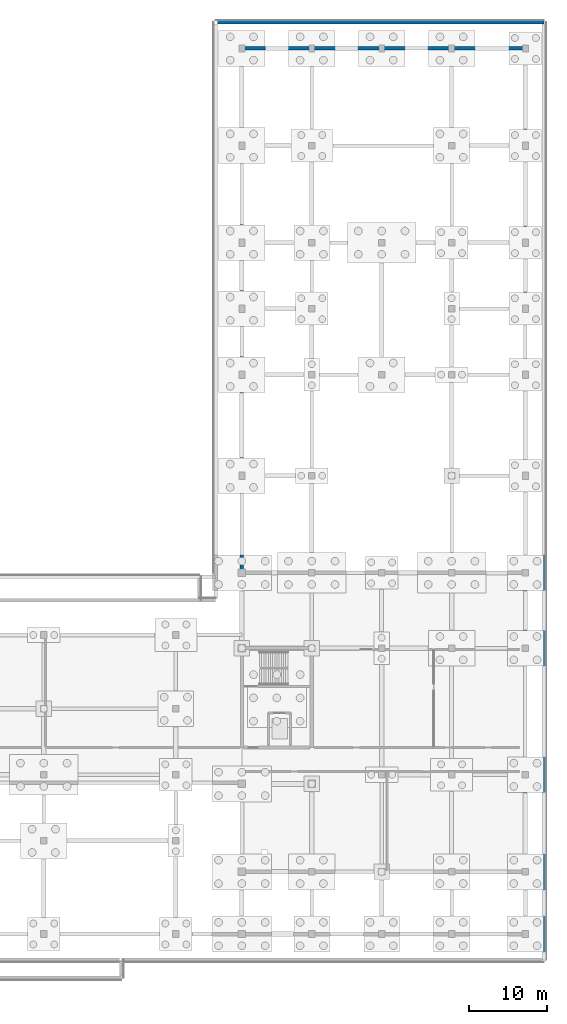
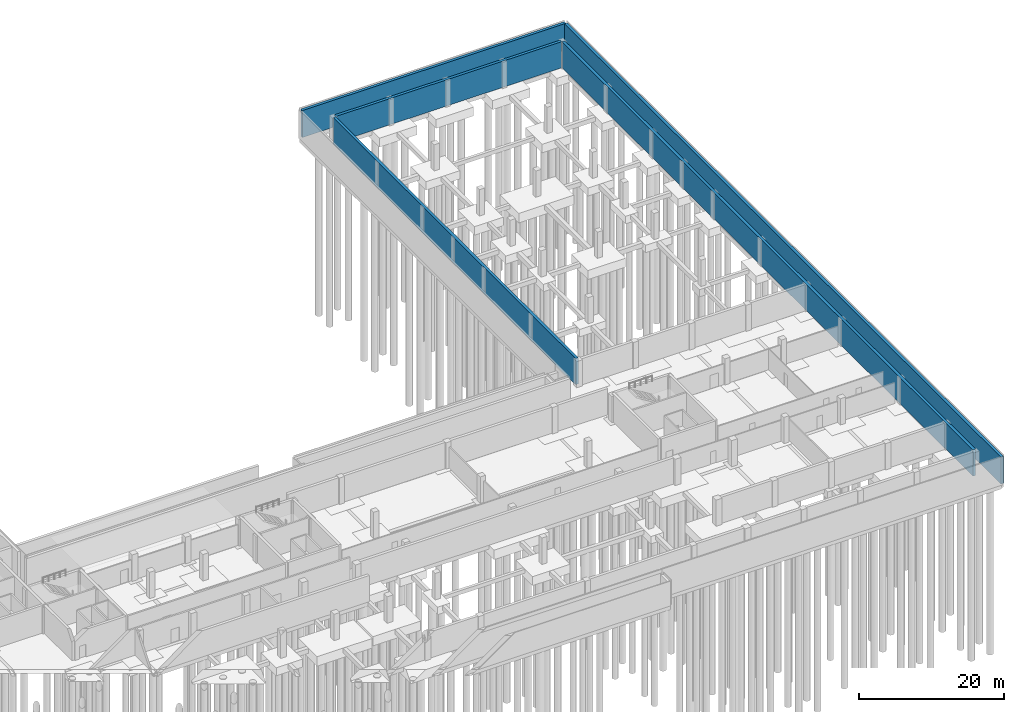
# One storey, part 16 of 25: 5 walls.
"""IFC4 building model written with IfcOpenShell, lengths in metres."""

from ifc_helpers import new_model, si_unit, direction, frame, frame_2d, origin, place, context, subcontext, project, spatial, rectangle, extrude, material, layer, layer_set, type_object, element, save


model = new_model("IFC4")

# Units and contexts
model_context = context("Model", 3, precision=1e-05, world=origin(), true_north=direction((0.0, 1.0)))
body_context = subcontext(model_context, "Body", "Model", "MODEL_VIEW")
ifc_project = project(units=[si_unit("LENGTHUNIT", "METRE"), si_unit("AREAUNIT", "SQUARE_METRE"), si_unit("VOLUMEUNIT", "CUBIC_METRE"), si_unit("PLANEANGLEUNIT", "RADIAN"), si_unit("MASSUNIT", "GRAM", prefix="KILO")], contexts=[model_context])

# Site, building, storey
site_placement = place(None, origin())
site = spatial("IfcSite", under=ifc_project, at=site_placement, CompositionType="ELEMENT")
building_placement = place(site_placement, origin())
building = spatial("IfcBuilding", under=site, at=building_placement, Name="Solvikara Media Centre", CompositionType="ELEMENT")
storey_placement = place(building_placement, frame((0.0, 0.0, -4.800048828125)))
storey = spatial("IfcBuildingStorey", under=building, at=storey_placement, Name="B01", CompositionType="ELEMENT", Elevation=-4.800048828125)

# Walls
ifc_material = material(Name="Concrete fc' 45 MPa (C45/55)", Category="concrete")
ifc_layer = layer(ifc_material, 0.449951171875)
ifc_layer_set = layer_set([ifc_layer], Name="Concrete fc' 45 MPa (C45/55)")
wall_type = type_object("IfcWallType", Name="WT-01", PredefinedType="SHEAR", material=ifc_layer_set)
wall_1_placement = place(storey_placement, frame((124.35009765625, 117.3798828125, 0.0), z_axis=(0.0, 0.0, 1.0), x_axis=(1.0, 0.0, 0.0)))
element("IfcWall", 1, at=wall_1_placement, inside=storey, type_object=wall_type, Name="W-B01-13", PredefinedType="SHEAR", context=body_context, shape_type="SweptSolid", body=[
    extrude(rectangle(XDim=42.02978515625, YDim=0.449951171875, at=frame_2d((21.014892578125, 0.0))), origin(), (0.0, 0.0, 1.0), 4.550048828125),
])
wall_2_placement = place(storey_placement, frame((166.3798828125, -3.330078125, 0.0), z_axis=(0.0, 0.0, 1.0), x_axis=(0.0, 1.0, 0.0)))
element("IfcWall", 2, at=wall_2_placement, inside=storey, type_object=wall_type, Name="W-B01-14", PredefinedType="SHEAR", context=body_context, shape_type="SweptSolid", body=[
    extrude(rectangle(XDim=120.47998046875, YDim=0.449951171875, at=frame_2d((60.239990234375, 0.0))), origin(), (0.0, 0.0, 1.0), 4.550048828125),
])
wall_3_placement = place(storey_placement, frame((164.0, 0.25, 0.0), z_axis=(0.0, 0.0, 1.0), x_axis=(0.0, 1.0, 0.0)))
element("IfcWall", 3, at=wall_3_placement, inside=storey, type_object=wall_type, Name="W-B01-22", PredefinedType="SHEAR", context=body_context, shape_type="SweptSolid", body=[
    extrude(rectangle(XDim=113.5, YDim=0.449951171875, at=frame_2d((56.75, 0.0))), origin(), (0.0, 0.0, 1.0), 4.420166015625),
])
wall_4_placement = place(storey_placement, frame((127.75, 114.0, 0.0), z_axis=(0.0, 0.0, 1.0), x_axis=(1.0, 0.0, 0.0)))
element("IfcWall", 4, at=wall_4_placement, inside=storey, type_object=wall_type, Name="W-B01-24", PredefinedType="SHEAR", context=body_context, shape_type="SweptSolid", body=[
    extrude(rectangle(XDim=36.0, YDim=0.449951171875, at=frame_2d((18.0, 0.0))), origin(), (0.0, 0.0, 1.0), 4.420166015625),
])
wall_5_placement = place(storey_placement, frame((127.5, 46.75, 0.0), z_axis=(0.0, 0.0, 1.0), x_axis=(0.0, 1.0, 0.0)))
element("IfcWall", 5, at=wall_5_placement, inside=storey, type_object=wall_type, Name="W-B01-26", PredefinedType="SHEAR", context=body_context, shape_type="SweptSolid", body=[
    extrude(rectangle(XDim=67.0, YDim=0.449951171875, at=frame_2d((33.5, 0.0))), origin(), (0.0, 0.0, 1.0), 4.420166015625),
])

save(model, "model.ifc")
